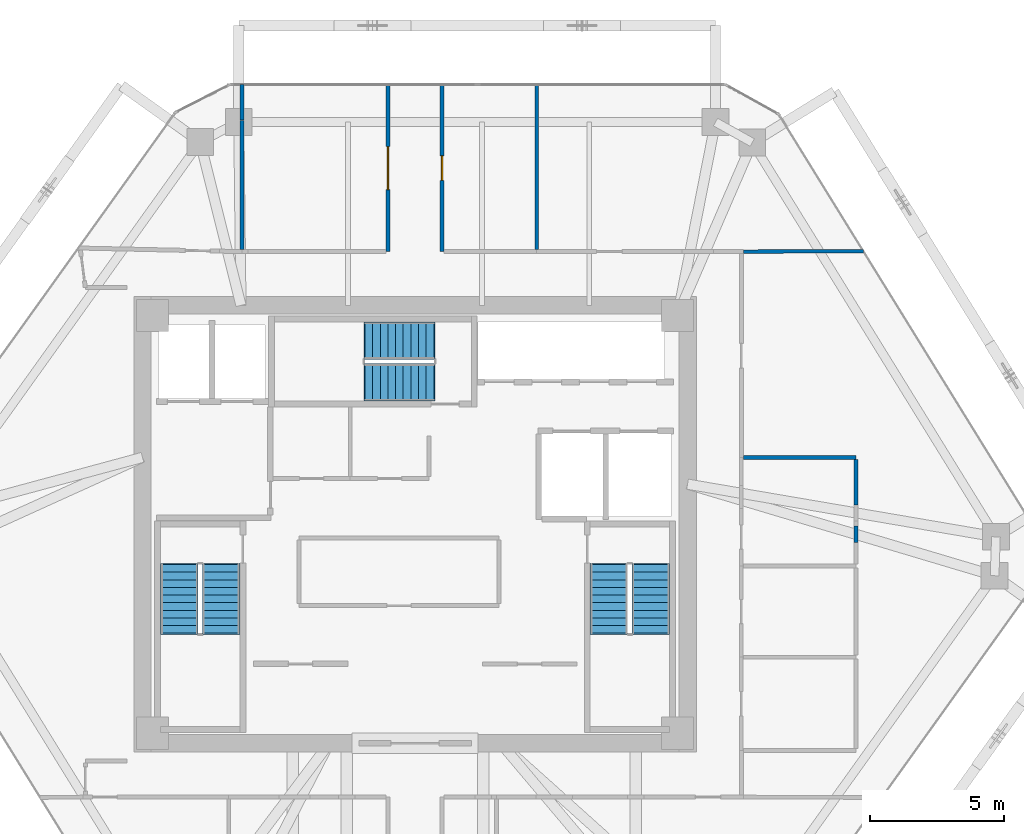
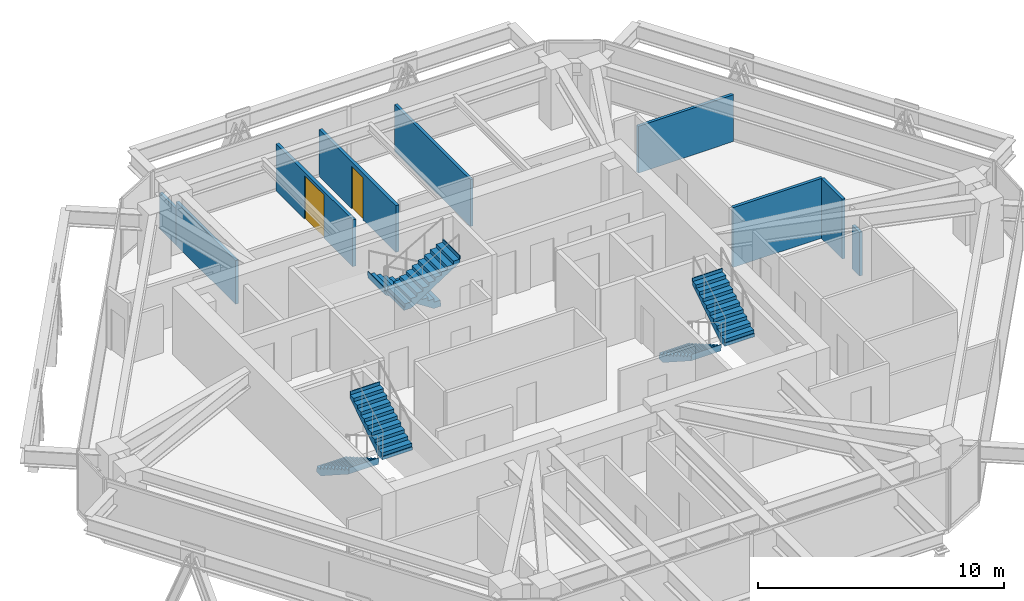
# One storey, part 13 of 14: 9 walls, 6 stair flights, 2 doors, 2 openings, 3 elements without a shape of their own.
"""IFC4 building model written with IfcOpenShell, lengths in metres."""

from ifc_helpers import new_model, si_unit, direction, frame, frame_2d, origin, place, context, subcontext, project, spatial, polyline, rectangle, outline, extrude, source, transform, mapped, material, layer, layer_set, type_object, type_shapes, element, fill, aggregate, save


model = new_model("IFC4")

# Units and contexts
model_context = context("Model", 3, precision=1e-05, world=origin(), true_north=direction((0.0, 1.0)))
body_context = subcontext(model_context, "Body", "Model", "MODEL_VIEW")
ifc_project = project(units=[si_unit("LENGTHUNIT", "METRE"), si_unit("AREAUNIT", "SQUARE_METRE"), si_unit("VOLUMEUNIT", "CUBIC_METRE"), si_unit("PLANEANGLEUNIT", "RADIAN"), si_unit("MASSUNIT", "GRAM", prefix="KILO")], contexts=[model_context])

# Site, building, storey
site_placement = place(None, origin())
site = spatial("IfcSite", under=ifc_project, at=site_placement, CompositionType="ELEMENT")
building_placement = place(site_placement, origin())
building = spatial("IfcBuilding", under=site, at=building_placement, Name="Durnholm Broadcast Tower", CompositionType="ELEMENT")
storey_placement = place(building_placement, frame((0.0, 0.0, 159.300048828125)))
storey = spatial("IfcBuildingStorey", under=building, at=storey_placement, Name="L43", CompositionType="ELEMENT", Elevation=159.300048828125)

# Walls
ifc_material_1 = material(Name="Gypsum Metal Stud Partition", Category="concrete")
ifc_layer_1 = layer(ifc_material_1, 0.135009765625)
ifc_layer_set_1 = layer_set([ifc_layer_1], Name="Gypsum Metal Stud Partition")
wall_type_1 = type_object("IfcWallType", Name="WALL-PART-135", PredefinedType="PARTITIONING", material=ifc_layer_set_1)
wall_1_placement = place(storey_placement, frame((-6.4599609375, 16.41796875, 0.0), z_axis=(0.0, 0.0, 1.0), x_axis=(0.0, -1.0, 0.0)))
element("IfcWall", 1, at=wall_1_placement, inside=storey, type_object=wall_type_1, Name="L43 room dividing partition 9.10", PredefinedType="PARTITIONING", context=body_context, shape_type="SweptSolid", body=[
    extrude(rectangle(XDim=1.31591796875, YDim=0.135009765625, at=frame_2d((0.657958984375, 0.0))), origin(), (0.0, 0.0, 1.0), 1.796875),
])
wall_2_placement = place(storey_placement, frame((-6.4599609375, 15.079345703125, 0.0), z_axis=(0.0, 0.0, 1.0), x_axis=(0.0, -1.0, 0.0)))
element("IfcWall", 2, at=wall_2_placement, inside=storey, type_object=wall_type_1, Name="L43 room dividing partition 9.10", PredefinedType="PARTITIONING", context=body_context, shape_type="SweptSolid", body=[
    extrude(rectangle(XDim=4.8203125, YDim=0.135009765625, at=frame_2d((2.41015625, 0.0))), origin(), (0.0, 0.0, 1.0), 2.161865234375),
])
wall_3_placement = place(storey_placement, frame((4.5400390625, 16.41796875, 0.0), z_axis=(0.0, 0.0, 1.0), x_axis=(0.0, -1.0, 0.0)))
element("IfcWall", 3, at=wall_3_placement, inside=storey, type_object=wall_type_1, Name="L43 room dividing partition 11.12", PredefinedType="PARTITIONING", context=body_context, shape_type="SweptSolid", body=[
    extrude(rectangle(XDim=6.158935546875, YDim=0.135009765625, at=frame_2d((3.07958984375, 0.0))), origin(), (0.0, 0.0, 1.0), 2.31884765625),
])
wall_4_placement = place(storey_placement, frame((16.739990234375, 10.200927734375, 0.0), z_axis=(0.0, 0.0, 1.0), x_axis=(-0.999989522694, -0.004577608714, 0.0)))
element("IfcWall", 4, at=wall_4_placement, inside=storey, type_object=wall_type_1, Name="L43 room dividing partition 12.19", PredefinedType="PARTITIONING", context=body_context, shape_type="SweptSolid", body=[
    extrude(rectangle(XDim=4.47998046875, YDim=0.135009765625, at=frame_2d((2.239990234375, 0.0))), origin(), (0.0, 0.0, 1.0), 2.31884765625),
])

# Wall, opening, door
ifc_material_2 = material(Name="Acoustic Gypsum Stud Partition", Category="concrete")
ifc_layer_2 = layer(ifc_material_2, 0.14990234375)
ifc_layer_set_2 = layer_set([ifc_layer_2], Name="Acoustic Gypsum Stud Partition")
wall_type_2 = type_object("IfcWallType", Name="WALL-PART-150", PredefinedType="PARTITIONING", material=ifc_layer_set_2)
wall_5_placement = place(storey_placement, frame((-1.010009765625, 16.41796875, 0.0), z_axis=(0.0, 0.0, 1.0), x_axis=(0.0, -1.0, 0.0)))
wall_5 = element("IfcWall", 5, at=wall_5_placement, inside=storey, type_object=wall_type_2, Name="L43 Broadcast R&D Hall corridor partition", PredefinedType="PARTITIONING", context=body_context, shape_type="SweptSolid", body=[
    extrude(rectangle(XDim=6.238037109375, YDim=0.14990234375, at=frame_2d((3.119140625, 0.0))), origin(), (0.0, 0.0, 1.0), 2.31884765625),
])
opening_1_placement = place(wall_5_placement, frame((2.319091796875, 0.0, 0.0)))
opening_1 = element("IfcOpeningElement", 6, at=opening_1_placement, cuts=wall_5, Name="Opening DST-160", PredefinedType="OPENING", context=body_context, shape_type="SweptSolid", body=[
    extrude(rectangle(XDim=1.60009765625, YDim=2.14990234375, at=frame_2d((0.800048828125, 1.074951171875))), frame((0.0, 0.0849609375, 0.0), z_axis=(0.0, -1.0, 0.0), x_axis=(1.0, 0.0, 0.0)), (0.0, 0.0, 1.0), 0.169921875),
])
ifc_material_3 = material(Name="Acoustic Broadcast Studio Sound-Lock Door", Category="steel")
ifc_layer_3 = layer(ifc_material_3, 0.050048828125)
ifc_layer_set_3 = layer_set([ifc_layer_3], Name="Acoustic Broadcast Studio Sound-Lock Door")
door_type_1 = type_object("IfcDoorType", Name="DOOR-STU-1600", OperationType="DOUBLE_DOOR_SINGLE_SWING", PredefinedType="DOOR", material=ifc_layer_set_3)
shared_shape_1 = source(origin(), body_context, "Body", "SweptSolid", [
    extrude(rectangle(XDim=1.60009765625, YDim=2.14990234375, at=frame_2d((0.800048828125, 1.074951171875))), frame((0.0, 0.02490234375, 0.0), z_axis=(0.0, -1.0, 0.0), x_axis=(1.0, 0.0, 0.0)), (0.0, 0.0, 1.0), 0.050048828125),
])
type_shapes(door_type_1, [shared_shape_1])
door_1_placement = place(opening_1_placement, origin())
door_1 = element("IfcDoor", 7, at=door_1_placement, inside=storey, type_object=door_type_1, Name="L43 Broadcast R&D Hall entrance door", OperationType="DOUBLE_DOOR_SINGLE_SWING", OverallHeight=2.14990234375, OverallWidth=1.60009765625, PredefinedType="DOOR", context=body_context, shape_type="MappedRepresentation", body=[
    mapped(shared_shape_1, transform((0.0, 0.0, 0.0), x_axis=(1.0, 0.0, 0.0), y_axis=(0.0, 1.0, 0.0), z_axis=(0.0, 0.0, 1.0), scale=1.0)),
])
fill(opening_1, door_1)

wall_6_placement = place(storey_placement, frame((1.010009765625, 10.179931640625, 0.0), z_axis=(0.0, 0.0, 1.0), x_axis=(0.0, 1.0, 0.0)))
wall_6 = element("IfcWall", 8, at=wall_6_placement, inside=storey, type_object=wall_type_2, Name="L43 Acoustics Testing Office corridor partition", PredefinedType="PARTITIONING", context=body_context, shape_type="SweptSolid", body=[
    extrude(rectangle(XDim=6.238037109375, YDim=0.14990234375, at=frame_2d((3.119140625, 0.0))), origin(), (0.0, 0.0, 1.0), 2.31884765625),
])
opening_2_placement = place(wall_6_placement, frame((2.658935546875, 0.0, 0.0)))
opening_2 = element("IfcOpeningElement", 9, at=opening_2_placement, cuts=wall_6, Name="Opening DR-92L", PredefinedType="OPENING", context=body_context, shape_type="SweptSolid", body=[
    extrude(rectangle(XDim=0.919921875, YDim=2.10009765625, at=frame_2d((0.4599609375, 1.050048828125))), frame((0.0, 0.0849609375, 0.0), z_axis=(0.0, -1.0, 0.0), x_axis=(1.0, 0.0, 0.0)), (0.0, 0.0, 1.0), 0.169921875),
])
ifc_material_4 = material(Name="Oak Veneer Office Door", Category="wood")
ifc_layer_4 = layer(ifc_material_4, 0.050048828125)
ifc_layer_set_4 = layer_set([ifc_layer_4], Name="Oak Veneer Office Door")
door_type_2 = type_object("IfcDoorType", Name="DOOR-RM-920L", OperationType="NOTDEFINED", PredefinedType="DOOR", material=ifc_layer_set_4)
shared_shape_2 = source(origin(), body_context, "Body", "SweptSolid", [
    extrude(rectangle(XDim=0.919921875, YDim=2.10009765625, at=frame_2d((0.4599609375, 1.050048828125))), frame((0.0, 0.02490234375, 0.0), z_axis=(0.0, -1.0, 0.0), x_axis=(1.0, 0.0, 0.0)), (0.0, 0.0, 1.0), 0.050048828125),
])
type_shapes(door_type_2, [shared_shape_2])
door_2_placement = place(opening_2_placement, origin())
door_2 = element("IfcDoor", 10, at=door_2_placement, inside=storey, type_object=door_type_2, Name="L43 Acoustics Testing Office entrance door", OperationType="SINGLE_SWING_LEFT", OverallHeight=2.10009765625, OverallWidth=0.919921875, PredefinedType="DOOR", context=body_context, shape_type="MappedRepresentation", body=[
    mapped(shared_shape_2, transform((0.0, 0.0, 0.0), x_axis=(1.0, 0.0, 0.0), y_axis=(0.0, 1.0, 0.0), z_axis=(0.0, 0.0, 1.0), scale=1.0)),
])
fill(opening_2, door_2)

# Walls
ifc_material_5 = material(Name="Moisture-Resistant Tile Partition", Category="concrete")
ifc_layer_5 = layer(ifc_material_5, 0.139892578125)
ifc_layer_set_5 = layer_set([ifc_layer_5], Name="Moisture-Resistant Tile Partition")
wall_type_3 = type_object("IfcWallType", Name="WALL-WC-140", PredefinedType="PARTITIONING", material=ifc_layer_set_5)
wall_7_placement = place(storey_placement, frame((12.259033203125, 2.489990234375, 0.0), z_axis=(0.0, 0.0, 1.0), x_axis=(1.0, 0.0, 0.0)))
element("IfcWall", 11, at=wall_7_placement, inside=storey, type_object=wall_type_3, Name="L43 room dividing partition 8.19", PredefinedType="PARTITIONING", context=body_context, shape_type="SweptSolid", body=[
    extrude(rectangle(XDim=4.200927734375, YDim=0.139892578125, at=frame_2d((2.1005859375, 0.0))), origin(), (0.0, 0.0, 1.0), 2.96484375),
])
wall_8_placement = place(storey_placement, frame((16.4599609375, 2.416015625, 0.0), z_axis=(0.0, 0.0, 1.0), x_axis=(0.0, -1.0, 0.0)))
element("IfcWall", 12, at=wall_8_placement, inside=storey, type_object=wall_type_3, Name="L43 room dividing partition 8.19", PredefinedType="PARTITIONING", context=body_context, shape_type="SweptSolid", body=[
    extrude(rectangle(XDim=1.695556640625, YDim=0.139892578125, at=frame_2d((0.84765625, 0.0))), origin(), (0.0, 0.0, 1.0), 2.96484375),
])
wall_9_placement = place(storey_placement, frame((16.4599609375, -0.072021484375, 0.0), z_axis=(0.0, 0.0, 1.0), x_axis=(0.0, -1.0, 0.0)))
element("IfcWall", 13, at=wall_9_placement, inside=storey, type_object=wall_type_3, Name="L43 room dividing partition 8.19", PredefinedType="PARTITIONING", context=body_context, shape_type="SweptSolid", body=[
    extrude(rectangle(XDim=0.60595703125, YDim=0.139892578125, at=frame_2d((0.302978515625, 0.0))), origin(), (0.0, 0.0, 1.0), 2.161865234375),
])

# Stair, stair flights
ifc_material_6 = material(Name="Concrete C50/60", Category="concrete")
stair_type = type_object("IfcStairType", Name="STAIR-DL-20R1650", PredefinedType="HALF_TURN_STAIR", material=ifc_material_6)
stair_1_placement = place(storey_placement, origin())
stair_1 = element("IfcStair", 14, at=stair_1_placement, inside=storey, type_object=stair_type, Name="L43 ST-1", PredefinedType="HALF_TURN_STAIR")
stair_flight_type = type_object("IfcStairFlightType", Name="FLIGHT-DL-20R1650", PredefinedType="STRAIGHT", material=ifc_material_6)
stair_flight_1_placement = place(storey_placement, frame((-8.800048828125, -1.5, 0.0), z_axis=(0.0, 0.0, 1.0), x_axis=(0.0, -1.0, 0.0)))
stair_flight_1 = element("IfcStairFlight", 15, at=stair_flight_1_placement, type_object=stair_flight_type, Name="ST-1 flight 1", NumberOfRisers=10, NumberOfTreads=9, PredefinedType="STRAIGHT", RiserHeight=0.165, TreadLength=0.285, context=body_context, shape_type="SweptSolid", body=[
    extrude(outline(polyline([(-0.0400390625, -0.14990234375), (-0.0400390625, 0.0), (0.0, 0.0), (0.0, 0.1650390625), (0.284912109375, 0.1650390625), (0.284912109375, 0.330078125), (0.570068359375, 0.330078125), (0.570068359375, 0.4951171875), (0.85498046875, 0.4951171875), (0.85498046875, 0.659912109375), (1.139892578125, 0.659912109375), (1.139892578125, 0.824951171875), (1.425048828125, 0.824951171875), (1.425048828125, 0.989990234375), (1.7099609375, 0.989990234375), (1.7099609375, 1.155029296875), (1.9951171875, 1.155029296875), (1.9951171875, 1.320068359375), (2.280029296875, 1.320068359375), (2.280029296875, 1.485107421875), (2.56494140625, 1.485107421875), (2.56494140625, 1.64990234375), (2.60498046875, 1.64990234375), (2.60498046875, 1.5), (2.56494140625, 1.311767578125), (0.299072265625, -0.14990234375), (-0.0400390625, -0.14990234375)])), frame((0.0, 0.699951171875, 0.0), z_axis=(0.0, -1.0, 0.0), x_axis=(1.0, 0.0, 0.0)), (0.0, 0.0, 1.0), 1.39990234375),
])
stair_flight_2_placement = place(storey_placement, frame((-7.239990234375, -4.06494140625, 1.64990234375), z_axis=(0.0, 0.0, 1.0), x_axis=(0.0, 1.0, 0.0)))
stair_flight_2 = element("IfcStairFlight", 16, at=stair_flight_2_placement, type_object=stair_flight_type, Name="ST-1 flight 2", NumberOfRisers=10, NumberOfTreads=9, PredefinedType="STRAIGHT", RiserHeight=0.165, TreadLength=0.285, context=body_context, shape_type="SweptSolid", body=[
    extrude(outline(polyline([(-0.0400390625, -0.14990234375), (-0.0400390625, 0.0), (0.0, 0.0), (0.0, 0.1650390625), (0.284912109375, 0.1650390625), (0.284912109375, 0.330078125), (0.570068359375, 0.330078125), (0.570068359375, 0.4951171875), (0.85498046875, 0.4951171875), (0.85498046875, 0.659912109375), (1.139892578125, 0.659912109375), (1.139892578125, 0.824951171875), (1.425048828125, 0.824951171875), (1.425048828125, 0.989990234375), (1.7099609375, 0.989990234375), (1.7099609375, 1.155029296875), (1.9951171875, 1.155029296875), (1.9951171875, 1.320068359375), (2.280029296875, 1.320068359375), (2.280029296875, 1.485107421875), (2.56494140625, 1.485107421875), (2.56494140625, 1.64990234375), (2.60498046875, 1.64990234375), (2.60498046875, 1.5), (2.56494140625, 1.311767578125), (0.299072265625, -0.14990234375), (-0.0400390625, -0.14990234375)])), frame((0.0, 0.699951171875, 0.0), z_axis=(0.0, -1.0, 0.0), x_axis=(1.0, 0.0, 0.0)), (0.0, 0.0, 1.0), 1.39990234375),
])
aggregate(stair_1, [stair_flight_1, stair_flight_2])

stair_2_placement = place(storey_placement, origin())
stair_2 = element("IfcStair", 17, at=stair_2_placement, inside=storey, type_object=stair_type, Name="L43 ST-2", PredefinedType="HALF_TURN_STAIR")
stair_flight_3_placement = place(storey_placement, frame((7.239990234375, -1.5, 0.0), z_axis=(0.0, 0.0, 1.0), x_axis=(0.0, -1.0, 0.0)))
stair_flight_3 = element("IfcStairFlight", 18, at=stair_flight_3_placement, type_object=stair_flight_type, Name="ST-2 flight 1", NumberOfRisers=10, NumberOfTreads=9, PredefinedType="STRAIGHT", RiserHeight=0.165, TreadLength=0.285, context=body_context, shape_type="SweptSolid", body=[
    extrude(outline(polyline([(-0.0400390625, -0.14990234375), (-0.0400390625, 0.0), (0.0, 0.0), (0.0, 0.1650390625), (0.284912109375, 0.1650390625), (0.284912109375, 0.330078125), (0.570068359375, 0.330078125), (0.570068359375, 0.4951171875), (0.85498046875, 0.4951171875), (0.85498046875, 0.659912109375), (1.139892578125, 0.659912109375), (1.139892578125, 0.824951171875), (1.425048828125, 0.824951171875), (1.425048828125, 0.989990234375), (1.7099609375, 0.989990234375), (1.7099609375, 1.155029296875), (1.9951171875, 1.155029296875), (1.9951171875, 1.320068359375), (2.280029296875, 1.320068359375), (2.280029296875, 1.485107421875), (2.56494140625, 1.485107421875), (2.56494140625, 1.64990234375), (2.60498046875, 1.64990234375), (2.60498046875, 1.5), (2.56494140625, 1.311767578125), (0.299072265625, -0.14990234375), (-0.0400390625, -0.14990234375)])), frame((0.0, 0.699951171875, 0.0), z_axis=(0.0, -1.0, 0.0), x_axis=(1.0, 0.0, 0.0)), (0.0, 0.0, 1.0), 1.39990234375),
])
stair_flight_4_placement = place(storey_placement, frame((8.800048828125, -4.06494140625, 1.64990234375), z_axis=(0.0, 0.0, 1.0), x_axis=(0.0, 1.0, 0.0)))
stair_flight_4 = element("IfcStairFlight", 19, at=stair_flight_4_placement, type_object=stair_flight_type, Name="ST-2 flight 2", NumberOfRisers=10, NumberOfTreads=9, PredefinedType="STRAIGHT", RiserHeight=0.165, TreadLength=0.285, context=body_context, shape_type="SweptSolid", body=[
    extrude(outline(polyline([(-0.0400390625, -0.14990234375), (-0.0400390625, 0.0), (0.0, 0.0), (0.0, 0.1650390625), (0.284912109375, 0.1650390625), (0.284912109375, 0.330078125), (0.570068359375, 0.330078125), (0.570068359375, 0.4951171875), (0.85498046875, 0.4951171875), (0.85498046875, 0.659912109375), (1.139892578125, 0.659912109375), (1.139892578125, 0.824951171875), (1.425048828125, 0.824951171875), (1.425048828125, 0.989990234375), (1.7099609375, 0.989990234375), (1.7099609375, 1.155029296875), (1.9951171875, 1.155029296875), (1.9951171875, 1.320068359375), (2.280029296875, 1.320068359375), (2.280029296875, 1.485107421875), (2.56494140625, 1.485107421875), (2.56494140625, 1.64990234375), (2.60498046875, 1.64990234375), (2.60498046875, 1.5), (2.56494140625, 1.311767578125), (0.299072265625, -0.14990234375), (-0.0400390625, -0.14990234375)])), frame((0.0, 0.699951171875, 0.0), z_axis=(0.0, -1.0, 0.0), x_axis=(1.0, 0.0, 0.0)), (0.0, 0.0, 1.0), 1.39990234375),
])
aggregate(stair_2, [stair_flight_3, stair_flight_4])

stair_3_placement = place(storey_placement, origin())
stair_3 = element("IfcStair", 20, at=stair_3_placement, inside=storey, type_object=stair_type, Name="L43 ST-3", PredefinedType="HALF_TURN_STAIR")
stair_flight_5_placement = place(storey_placement, frame((0.699951171875, 6.860107421875, 0.0), z_axis=(0.0, 0.0, 1.0), x_axis=(-1.0, 0.0, 0.0)))
stair_flight_5 = element("IfcStairFlight", 21, at=stair_flight_5_placement, type_object=stair_flight_type, Name="ST-3 flight 1", NumberOfRisers=10, NumberOfTreads=9, PredefinedType="STRAIGHT", RiserHeight=0.165, TreadLength=0.285, context=body_context, shape_type="SweptSolid", body=[
    extrude(outline(polyline([(-0.0400390625, -0.14990234375), (-0.0400390625, 0.0), (0.0, 0.0), (0.0, 0.1650390625), (0.284912109375, 0.1650390625), (0.284912109375, 0.330078125), (0.570068359375, 0.330078125), (0.570068359375, 0.4951171875), (0.85498046875, 0.4951171875), (0.85498046875, 0.659912109375), (1.139892578125, 0.659912109375), (1.139892578125, 0.824951171875), (1.425048828125, 0.824951171875), (1.425048828125, 0.989990234375), (1.7099609375, 0.989990234375), (1.7099609375, 1.155029296875), (1.9951171875, 1.155029296875), (1.9951171875, 1.320068359375), (2.280029296875, 1.320068359375), (2.280029296875, 1.485107421875), (2.56494140625, 1.485107421875), (2.56494140625, 1.64990234375), (2.60498046875, 1.64990234375), (2.60498046875, 1.5), (2.56494140625, 1.311767578125), (0.299072265625, -0.14990234375), (-0.0400390625, -0.14990234375)])), frame((0.0, 0.699951171875, 0.0), z_axis=(0.0, -1.0, 0.0), x_axis=(1.0, 0.0, 0.0)), (0.0, 0.0, 1.0), 1.39990234375),
])
stair_flight_6_placement = place(storey_placement, frame((-1.864990234375, 5.300048828125, 1.64990234375), z_axis=(0.0, 0.0, 1.0), x_axis=(1.0, 0.0, 0.0)))
stair_flight_6 = element("IfcStairFlight", 22, at=stair_flight_6_placement, type_object=stair_flight_type, Name="ST-3 flight 2", NumberOfRisers=10, NumberOfTreads=9, PredefinedType="STRAIGHT", RiserHeight=0.165, TreadLength=0.285, context=body_context, shape_type="SweptSolid", body=[
    extrude(outline(polyline([(-0.0400390625, -0.14990234375), (-0.0400390625, 0.0), (0.0, 0.0), (0.0, 0.1650390625), (0.284912109375, 0.1650390625), (0.284912109375, 0.330078125), (0.570068359375, 0.330078125), (0.570068359375, 0.4951171875), (0.85498046875, 0.4951171875), (0.85498046875, 0.659912109375), (1.139892578125, 0.659912109375), (1.139892578125, 0.824951171875), (1.425048828125, 0.824951171875), (1.425048828125, 0.989990234375), (1.7099609375, 0.989990234375), (1.7099609375, 1.155029296875), (1.9951171875, 1.155029296875), (1.9951171875, 1.320068359375), (2.280029296875, 1.320068359375), (2.280029296875, 1.485107421875), (2.56494140625, 1.485107421875), (2.56494140625, 1.64990234375), (2.60498046875, 1.64990234375), (2.60498046875, 1.5), (2.56494140625, 1.311767578125), (0.299072265625, -0.14990234375), (-0.0400390625, -0.14990234375)])), frame((0.0, 0.699951171875, 0.0), z_axis=(0.0, -1.0, 0.0), x_axis=(1.0, 0.0, 0.0)), (0.0, 0.0, 1.0), 1.39990234375),
])
aggregate(stair_3, [stair_flight_5, stair_flight_6])

save(model, "model.ifc")
